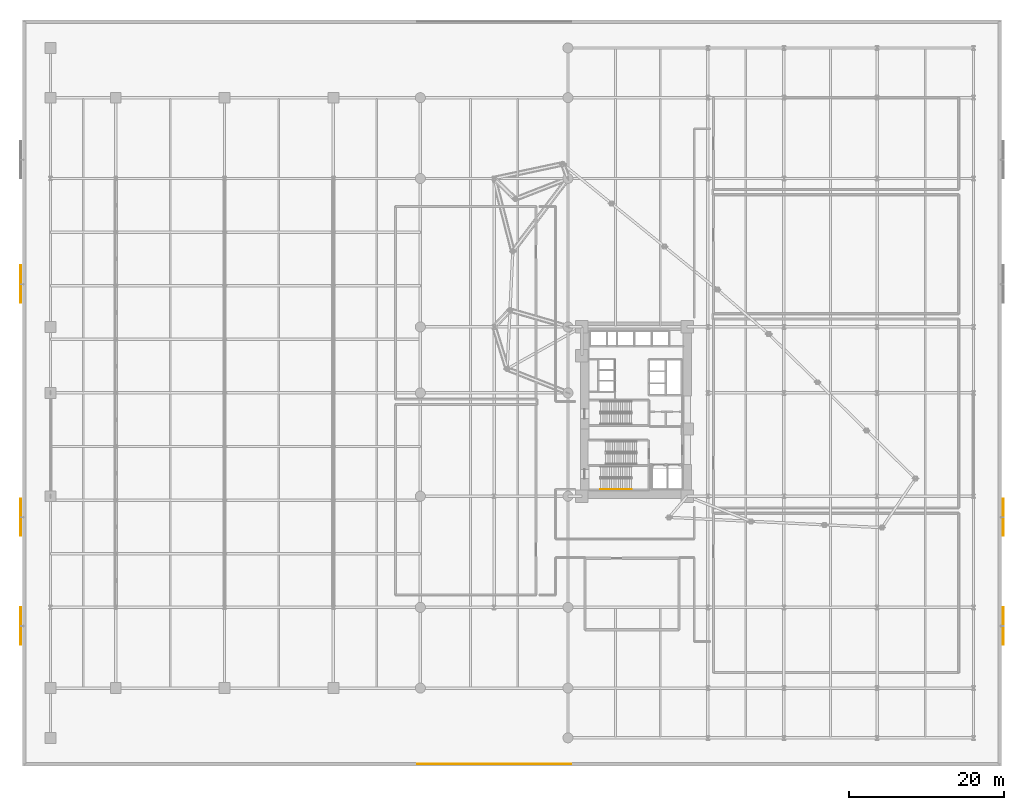
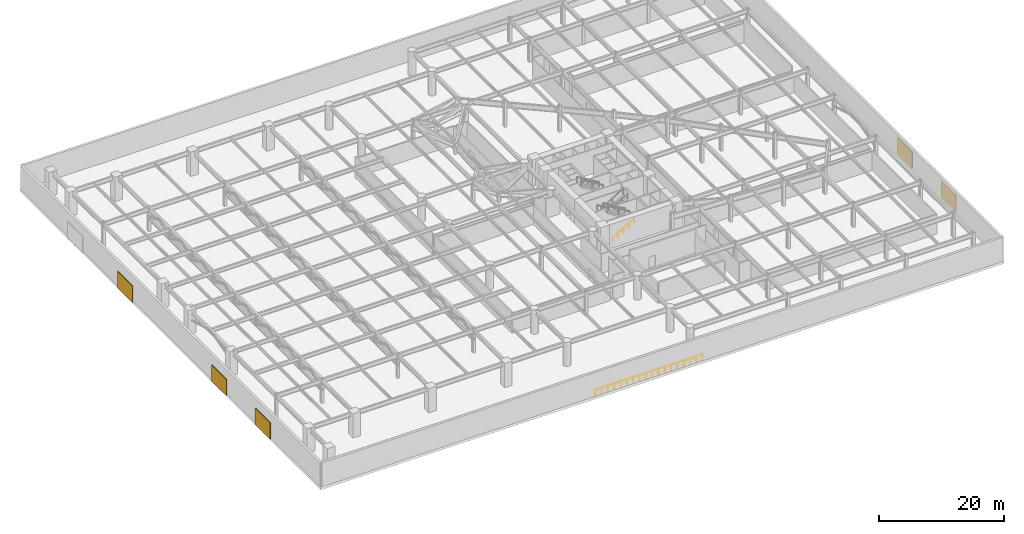
# One storey, part 38 of 40: 5 shading devices, 2 railings.
"""IFC4 building model written with IfcOpenShell, lengths in metres."""

import ifcopenshell
import ifcopenshell.guid

model = None  # the IFC model being written
_history = None  # IfcOwnerHistory: only IFC2X3 demands one
_inside = {}  # id of a spatial element -> (the spatial element, [elements in it])
_under = {}  # id of a project, library or spatial element -> (it, [spatial elements below it])
_declared = {}  # id of a project -> (the project, [libraries it declares])
_typed = {}  # id of a type object -> (the type object, [elements of that type])
_made_of = {}  # id of a material, layer set ... -> (it, [elements and type objects made of it])


def new_model(schema):
    """Start an empty IFC model of exactly this schema.

    Asked for "IFC4X3", IfcOpenShell would pick the latest addendum, in which some entities
    have other attributes; the version numbers below select the first issue.
    IFC2X3 requires an IfcOwnerHistory on every rooted entity: one is made here for all.
    """
    global model, _history
    if schema == "IFC4X3":
        model = ifcopenshell.file(schema_version=(4, 3, 0, 0))
    else:
        model = ifcopenshell.file(schema=schema)
    _inside.clear()
    _under.clear()
    _declared.clear()
    _typed.clear()
    _made_of.clear()
    _history = None
    if model.schema == "IFC2X3":
        org = make("IfcOrganization", Name="unknown")
        user = make(
            "IfcPersonAndOrganization",
            ThePerson=make("IfcPerson", FamilyName="unknown"),
            TheOrganization=org,
        )
        app = make(
            "IfcApplication",
            ApplicationDeveloper=org,
            Version="unknown",
            ApplicationFullName="unknown",
            ApplicationIdentifier="unknown",
        )
        _history = make(
            "IfcOwnerHistory",
            OwningUser=user,
            OwningApplication=app,
            ChangeAction="ADDED",
            CreationDate=0,
        )
    return model


def make(cls, **values):
    """One entity of the class cls with the attributes given. An attribute that is None is left unset."""
    return model.create_entity(
        cls, **{name: value for name, value in values.items() if value is not None}
    )


def rooted(cls, **values):
    """An entity with a GlobalId (a new one), such as an element, a storey or a relation."""
    return make(cls, GlobalId=ifcopenshell.guid.new(), OwnerHistory=_history, **values)


def si_unit(unit_type, name, prefix=None):
    """IfcSIUnit, for example si_unit("LENGTHUNIT", "METRE", prefix="MILLI")."""
    return make("IfcSIUnit", UnitType=unit_type, Prefix=prefix, Name=name)


def assignment(units):
    """IfcUnitAssignment: the units of a project."""
    return None if units is None else make("IfcUnitAssignment", Units=units)


def point(xyz):
    """IfcCartesianPoint."""
    return None if xyz is None else make("IfcCartesianPoint", Coordinates=xyz)


def direction(xyz):
    """IfcDirection."""
    return None if xyz is None else make("IfcDirection", DirectionRatios=xyz)


def frame(location, z_axis=None, x_axis=None):
    """IfcAxis2Placement3D, a coordinate frame: its origin and axes. An axis left out is left unset."""
    return make(
        "IfcAxis2Placement3D",
        Location=point(location),
        Axis=direction(z_axis),
        RefDirection=direction(x_axis),
    )


def frame_2d(location, x_axis=None):
    """IfcAxis2Placement2D, a coordinate frame in the plane: its origin and x axis."""
    return make(
        "IfcAxis2Placement2D", Location=point(location), RefDirection=direction(x_axis)
    )


def origin():
    """The frame at (0, 0, 0) with its axes left unset."""
    return frame((0.0, 0.0, 0.0))


def origin_2d():
    """The frame at (0, 0) in the plane with its x axis left unset."""
    return frame_2d((0.0, 0.0))


def place(relative_to, where):
    """IfcLocalPlacement: puts the frame where relative to a parent placement (None: the world)."""
    return make(
        "IfcLocalPlacement", PlacementRelTo=relative_to, RelativePlacement=where
    )


def context(
    kind, dimensions, precision=None, world=None, true_north=None, identifier=None
):
    """IfcGeometricRepresentationContext, for example the 3D "Model" context."""
    return make(
        "IfcGeometricRepresentationContext",
        ContextIdentifier=identifier,
        ContextType=kind,
        CoordinateSpaceDimension=dimensions,
        Precision=precision,
        WorldCoordinateSystem=world,
        TrueNorth=true_north,
    )


def subcontext(parent, identifier, kind, view, scale=None):
    """IfcGeometricRepresentationSubContext, for example "Body" below "Model"."""
    return make(
        "IfcGeometricRepresentationSubContext",
        ContextIdentifier=identifier,
        ContextType=kind,
        ParentContext=parent,
        TargetScale=scale,
        TargetView=view,
    )


def project(units=None, contexts=None):
    """IfcProject with its units and contexts."""
    return rooted(
        "IfcProject",
        Name="project",
        RepresentationContexts=contexts,
        UnitsInContext=assignment(units),
    )


def spatial(cls, under=None, at=None, **own):
    """A site, building, storey or space (cls), placed at a placement, below another one or the project."""
    s = rooted(cls, ObjectPlacement=at, **own)
    if under is not None:
        _under.setdefault(under.id(), (under, []))[1].append(s)
    return s


def profile(cls, at=None, kind="AREA", **sizes):
    """A parametric profile (cls). Its sizes go by their IFC names, for example OverallWidth=200.0."""
    return make(cls, ProfileType=kind, Position=at, **sizes)


def rectangle(**sizes):
    """IfcRectangleProfileDef."""
    return profile("IfcRectangleProfileDef", **sizes)


def circle(**sizes):
    """IfcCircleProfileDef."""
    return profile("IfcCircleProfileDef", **sizes)


def extrude(swept, where, along, depth):
    """IfcExtrudedAreaSolid: the profile swept, set in the frame where, extruded along a direction by depth."""
    return make(
        "IfcExtrudedAreaSolid",
        SweptArea=swept,
        Position=where,
        ExtrudedDirection=direction(along),
        Depth=depth,
    )


def shape(context_of_items, identifier, shape_type, items):
    """IfcShapeRepresentation: the items that make up one representation, for example the "Body"."""
    return make(
        "IfcShapeRepresentation",
        ContextOfItems=context_of_items,
        RepresentationIdentifier=identifier,
        RepresentationType=shape_type,
        Items=items,
    )


def material(Name=None, Category=None):
    """IfcMaterial."""
    return make("IfcMaterial", Name=Name, Category=Category)


def layer(
    of_material, thickness, ventilated=None, Name=None, Category=None, Priority=None
):
    """IfcMaterialLayer: one layer of a wall or slab, of a material (None: an air gap)."""
    return make(
        "IfcMaterialLayer",
        Material=of_material,
        LayerThickness=thickness,
        IsVentilated=ventilated,
        Name=Name,
        Category=Category,
        Priority=Priority,
    )


def layer_set(layers, Name=None):
    """IfcMaterialLayerSet."""
    return make("IfcMaterialLayerSet", MaterialLayers=layers, LayerSetName=Name)


def made_of(thing, what):
    """Note that an element or type object is made of a material, layer set ...; save() writes the relation."""
    if what is not None:
        _made_of.setdefault(what.id(), (what, []))[1].append(thing)
    return thing


def type_object(cls, material=None, **own):
    """A type object (cls), such as IfcWallType, which elements share."""
    return made_of(rooted(cls, **own), material)


def element(
    cls,
    number,
    at=None,
    inside=None,
    cuts=None,
    type_object=None,
    material=None,
    context=None,
    identifier="Body",
    shape_type=None,
    held_by="IfcProductDefinitionShape",
    body=None,
    shapes=None,
    **own,
):
    """One element of the class cls, such as IfcWall. Its Tag is "e" and its number.

    at: its placement. inside: the storey or other place that contains it. cuts: it is an
    opening in that element (IfcRelVoidsElement). A single representation is given by context,
    identifier, shape_type and body (its items); several are given by shapes. held_by: the class
    of the entity that holds the representations. save() writes the other relations.
    """
    e = rooted(cls, Tag="e%d" % number, ObjectPlacement=at, **own)
    if body is not None:
        shapes = [shape(context, identifier, shape_type, body)]
    if shapes is not None:
        e.Representation = make(held_by, Representations=shapes)
    if inside is not None:
        _inside.setdefault(inside.id(), (inside, []))[1].append(e)
    if cuts is not None:
        rooted(
            "IfcRelVoidsElement", RelatingBuildingElement=cuts, RelatedOpeningElement=e
        )
    if type_object is not None:
        _typed.setdefault(type_object.id(), (type_object, []))[1].append(e)
    return made_of(e, material)


def aggregate(whole, parts):
    """IfcRelAggregates: a whole, such as a stair, and the parts it consists of."""
    return rooted("IfcRelAggregates", RelatingObject=whole, RelatedObjects=parts)


def save(model, path):
    """Write the relations noted so far, then the file.

    IfcRelAggregates (storeys below a building ...), IfcRelContainedInSpatialStructure (elements
    in a storey), IfcRelDefinesByType, IfcRelAssociatesMaterial and IfcRelDeclares: one each for
    every whole, place, type object, material and project.
    """
    for whole, parts in _under.values():
        aggregate(whole, parts)
    for where, things in _inside.values():
        rooted(
            "IfcRelContainedInSpatialStructure",
            RelatedElements=things,
            RelatingStructure=where,
        )
    for kind, things in _typed.values():
        rooted("IfcRelDefinesByType", RelatedObjects=things, RelatingType=kind)
    for what, things in _made_of.values():
        rooted("IfcRelAssociatesMaterial", RelatedObjects=things, RelatingMaterial=what)
    for by, libraries in _declared.values():
        rooted("IfcRelDeclares", RelatingContext=by, RelatedDefinitions=libraries)
    model.write(path)


model = new_model("IFC4")

# Units and contexts
model_context = context("Model", 3, precision=1e-05, world=origin(), true_north=direction((0.0, 1.0)))
body_context = subcontext(model_context, "Body", "Model", "MODEL_VIEW")
ifc_project = project(units=[si_unit("LENGTHUNIT", "METRE"), si_unit("AREAUNIT", "SQUARE_METRE"), si_unit("VOLUMEUNIT", "CUBIC_METRE"), si_unit("PLANEANGLEUNIT", "RADIAN"), si_unit("MASSUNIT", "GRAM", prefix="KILO")], contexts=[model_context])

# Site, building, storey
site_placement = place(None, origin())
site = spatial("IfcSite", under=ifc_project, at=site_placement, CompositionType="ELEMENT")
building_placement = place(site_placement, origin())
building = spatial("IfcBuilding", under=site, at=building_placement, Name="Narakoshi Arena Tower", CompositionType="ELEMENT")
storey_placement = place(building_placement, frame((0.0, 0.0, 21.60009765625)))
storey = spatial("IfcBuildingStorey", under=building, at=storey_placement, Name="L05", CompositionType="ELEMENT", Elevation=21.60009765625)

# Railings
ifc_material_1 = material(Name="Brushed bronze stainless steel", Category="steel")
railing_type_1 = type_object("IfcRailingType", Name="RL-GRD-1150", PredefinedType="GUARDRAIL", material=ifc_material_1)
railing_1_placement = place(storey_placement, frame((50.800048828125, 0.219970703125, 0.0)))
element("IfcRailing", 1, at=railing_1_placement, inside=storey, type_object=railing_type_1, Name="L05 Concourse Portal Sill Guardrail PS", PredefinedType="GUARDRAIL", context=body_context, shape_type="SweptSolid", body=[
    extrude(circle(Radius=0.02392578125, at=origin_2d()), frame((0.0, 0.0, 1.1259765625), z_axis=(1.0, 0.0, 0.0), x_axis=(0.0, 1.0, 0.0)), (0.0, 0.0, 1.0), 19.800048828125),
    extrude(circle(Radius=0.02099609375, at=origin_2d()), origin(), (0.0, 0.0, 1.0), 1.101806640625),
    extrude(circle(Radius=0.02099609375, at=origin_2d()), frame((1.164794921875, 0.0, 0.0)), (0.0, 0.0, 1.0), 1.101806640625),
    extrude(circle(Radius=0.02099609375, at=origin_2d()), frame((2.329345703125, 0.0, 0.0)), (0.0, 0.0, 1.0), 1.101806640625),
    extrude(circle(Radius=0.02099609375, at=origin_2d()), frame((3.494140625, 0.0, 0.0)), (0.0, 0.0, 1.0), 1.101806640625),
    extrude(circle(Radius=0.02099609375, at=origin_2d()), frame((4.658935546875, 0.0, 0.0)), (0.0, 0.0, 1.0), 1.101806640625),
    extrude(circle(Radius=0.02099609375, at=origin_2d()), frame((5.823486328125, 0.0, 0.0)), (0.0, 0.0, 1.0), 1.101806640625),
    extrude(circle(Radius=0.02099609375, at=origin_2d()), frame((6.98828125, 0.0, 0.0)), (0.0, 0.0, 1.0), 1.101806640625),
    extrude(circle(Radius=0.02099609375, at=origin_2d()), frame((8.153076171875, 0.0, 0.0)), (0.0, 0.0, 1.0), 1.101806640625),
    extrude(circle(Radius=0.02099609375, at=origin_2d()), frame((9.317626953125, 0.0, 0.0)), (0.0, 0.0, 1.0), 1.101806640625),
    extrude(circle(Radius=0.02099609375, at=origin_2d()), frame((10.482421875, 0.0, 0.0)), (0.0, 0.0, 1.0), 1.101806640625),
    extrude(circle(Radius=0.02099609375, at=origin_2d()), frame((11.64697265625, 0.0, 0.0)), (0.0, 0.0, 1.0), 1.101806640625),
    extrude(circle(Radius=0.02099609375, at=origin_2d()), frame((12.811767578125, 0.0, 0.0)), (0.0, 0.0, 1.0), 1.101806640625),
    extrude(circle(Radius=0.02099609375, at=origin_2d()), frame((13.9765625, 0.0, 0.0)), (0.0, 0.0, 1.0), 1.101806640625),
    extrude(circle(Radius=0.02099609375, at=origin_2d()), frame((15.14111328125, 0.0, 0.0)), (0.0, 0.0, 1.0), 1.101806640625),
    extrude(circle(Radius=0.02099609375, at=origin_2d()), frame((16.305908203125, 0.0, 0.0)), (0.0, 0.0, 1.0), 1.101806640625),
    extrude(circle(Radius=0.02099609375, at=origin_2d()), frame((17.470703125, 0.0, 0.0)), (0.0, 0.0, 1.0), 1.101806640625),
    extrude(circle(Radius=0.02099609375, at=origin_2d()), frame((18.63525390625, 0.0, 0.0)), (0.0, 0.0, 1.0), 1.101806640625),
    extrude(circle(Radius=0.02099609375, at=origin_2d()), frame((19.800048828125, 0.0, 0.0)), (0.0, 0.0, 1.0), 1.101806640625),
])
railing_type_2 = type_object("IfcRailingType", Name="RL-HND-900", PredefinedType="HANDRAIL", material=ifc_material_1)
railing_2_placement = place(storey_placement, frame((74.39990234375, 35.60009765625, 0.169921875)))
element("IfcRailing", 2, at=railing_2_placement, inside=storey, type_object=railing_type_2, Name="L05 ST1 stair handrail 1", PredefinedType="HANDRAIL", context=body_context, shape_type="SweptSolid", body=[
    extrude(circle(Radius=0.02392578125, at=origin_2d()), frame((0.0, 0.0, 0.8759765625), z_axis=(0.85883005064, 0.0, 0.512260621284), x_axis=(0.0, 1.0, 0.0)), (0.0, 0.0, 1.0), 4.645751953125),
    extrude(circle(Radius=0.02099609375, at=origin_2d()), origin(), (0.0, 0.0, 1.0), 0.851806640625),
    extrude(circle(Radius=0.02099609375, at=origin_2d()), frame((0.99755859375, 0.0, 0.594970703125)), (0.0, 0.0, 1.0), 0.851806640625),
    extrude(circle(Radius=0.02099609375, at=origin_2d()), frame((1.9951171875, 0.0, 1.18994140625)), (0.0, 0.0, 1.0), 0.851806640625),
    extrude(circle(Radius=0.02099609375, at=origin_2d()), frame((2.992431640625, 0.0, 1.784912109375)), (0.0, 0.0, 1.0), 0.851806640625),
    extrude(circle(Radius=0.02099609375, at=origin_2d()), frame((3.989990234375, 0.0, 2.3798828125)), (0.0, 0.0, 1.0), 0.851806640625),
])

# Shading devices
ifc_material_2 = material(Name="Anodised bronze aluminium 6063-T6", Category="aluminium")
ifc_layer = layer(ifc_material_2, 0.1201171875)
ifc_layer_set = layer_set([ifc_layer], Name="Anodised bronze aluminium 6063-T6")
shading_device_type = type_object("IfcShadingDeviceType", Name="SHD-LVR-PLT", PredefinedType="JALOUSIE", material=ifc_layer_set)
for number, where, z_axis, x_axis, name in (
    (3, (126.219970703125, 18.0, 0.0), (0.0, 0.0, 1.0), (0.0, 1.0, 0.0), "L05 Podium Plant Acoustic Louvre Bank E1"),
    (4, (-0.219970703125, 18.0, 0.0), (0.0, 0.0, 1.0), (0.0, 1.0, 0.0), "L05 Podium Plant Acoustic Louvre Bank W1"),
    (5, (126.219970703125, 32.0, 0.0), (0.0, 0.0, 1.0), (0.0, 1.0, 0.0), "L05 Podium Plant Acoustic Louvre Bank E2"),
    (6, (-0.219970703125, 32.0, 0.0), (0.0, 0.0, 1.0), (0.0, 1.0, 0.0), "L05 Podium Plant Acoustic Louvre Bank W2"),
    (7, (-0.219970703125, 62.0, 0.0), (0.0, 0.0, 1.0), (0.0, 1.0, 0.0), "L05 Podium Plant Acoustic Louvre Bank W3"),
):
    element("IfcShadingDevice", number, at=place(storey_placement, frame(where, z_axis=z_axis, x_axis=x_axis)), inside=storey, type_object=shading_device_type, Name=name, PredefinedType="JALOUSIE", context=body_context, shape_type="SweptSolid", body=[
        extrude(rectangle(XDim=4.800048828125, YDim=0.1201171875, at=origin_2d()), origin(), (0.0, 0.0, 1.0), 3.199951171875),
    ])

save(model, "model.ifc")
